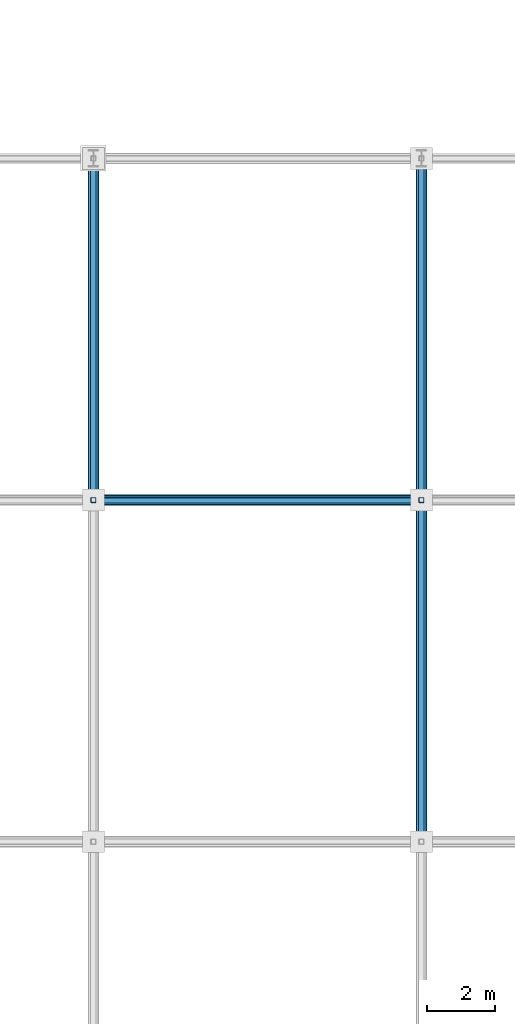
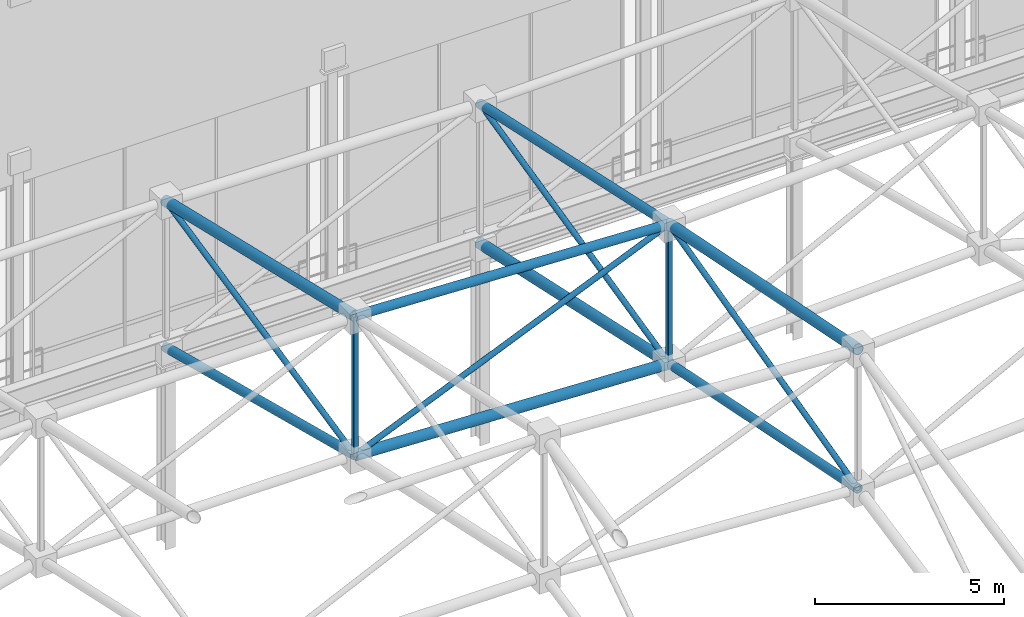
# One storey, part 93 of 193: 14 members.
"""IFC4 building model written with IfcOpenShell, lengths in metres."""

from ifc_helpers import new_model, si_unit, direction, frame, origin, origin_2d, place, context, subcontext, project, spatial, hollow_rectangle, hollow_circle, extrude, material, material_profile, profile_set, type_object, element, save


model = new_model("IFC4")

# Units and contexts
model_context = context("Model", 3, precision=1e-05, world=origin(), true_north=direction((0.0, 1.0)))
body_context = subcontext(model_context, "Body", "Model", "MODEL_VIEW")
ifc_project = project(units=[si_unit("LENGTHUNIT", "METRE"), si_unit("AREAUNIT", "SQUARE_METRE"), si_unit("VOLUMEUNIT", "CUBIC_METRE"), si_unit("PLANEANGLEUNIT", "RADIAN"), si_unit("MASSUNIT", "GRAM", prefix="KILO")], contexts=[model_context])

# Site, building, storey
site_placement = place(None, origin())
site = spatial("IfcSite", under=ifc_project, at=site_placement, CompositionType="ELEMENT")
building_placement = place(site_placement, origin())
building = spatial("IfcBuilding", under=site, at=building_placement, Name="Danafjord Basin Convention Centre", CompositionType="ELEMENT")
storey_placement = place(building_placement, frame((0.0, 0.0, 11.39990234375)))
storey = spatial("IfcBuildingStorey", under=building, at=storey_placement, Name="L02", CompositionType="ELEMENT", Elevation=11.39990234375)

# Members
ifc_material = material(Name="Steel S355", Category="steel")
ifc_material_profile_1 = material_profile(ifc_material, hollow_circle(Radius=0.136474609375, WallThickness=0.012451171875, at=origin_2d()), Name="CHS 273.0x12.5")
ifc_profile_set_1 = profile_set([ifc_material_profile_1], Name="Steel S355")
member_type_1 = type_object("IfcMemberType", Name="MEM-CH-CHS273", PredefinedType="CHORD", material=ifc_profile_set_1)
member_1_placement = place(storey_placement, frame((163.199951171875, 70.0, 13.427734375), z_axis=(0.999160768255, 0.0, -0.040960458736), x_axis=(0.0, 1.0, 0.0)))
element("IfcMember", 1, at=member_1_placement, inside=storey, type_object=member_type_1, Name="V3 roof truss longitudinal top chord", PredefinedType="CHORD", context=body_context, shape_type="SweptSolid", body=[
    extrude(hollow_circle(Radius=0.136474609375, WallThickness=0.012451171875, at=origin_2d()), origin(), (0.0, 0.0, 1.0), 9.608154296875),
])
member_2_placement = place(storey_placement, frame((163.199951171875, 70.0, 8.927734375), z_axis=(0.0, 0.968347770867, -0.249604877071), x_axis=(-1.0, 0.0, 0.0)))
element("IfcMember", 2, at=member_2_placement, inside=storey, type_object=member_type_1, Name="V3 roof truss transverse bottom chord", PredefinedType="CHORD", context=body_context, shape_type="SweptSolid", body=[
    extrude(hollow_circle(Radius=0.136474609375, WallThickness=0.012451171875, at=origin_2d()), origin(), (0.0, 0.0, 1.0), 10.326904296875),
])
member_3_placement = place(storey_placement, frame((172.800048828125, 60.0, 10.550048828125), z_axis=(0.0, 0.980280377013, -0.197611696118), x_axis=(-1.0, 0.0, 0.0)))
element("IfcMember", 3, at=member_3_placement, inside=storey, type_object=member_type_1, Name="V3 roof truss transverse bottom chord", PredefinedType="CHORD", context=body_context, shape_type="SweptSolid", body=[
    extrude(hollow_circle(Radius=0.136474609375, WallThickness=0.012451171875, at=origin_2d()), origin(), (0.0, 0.0, 1.0), 10.201171875),
])
member_4_placement = place(storey_placement, frame((172.800048828125, 70.0, 13.0341796875), z_axis=(0.0, 0.976969675801, -0.213378191399), x_axis=(-1.0, 0.0, 0.0)))
element("IfcMember", 4, at=member_4_placement, inside=storey, type_object=member_type_1, Name="V3 roof truss transverse top chord", PredefinedType="CHORD", context=body_context, shape_type="SweptSolid", body=[
    extrude(hollow_circle(Radius=0.136474609375, WallThickness=0.012451171875, at=origin_2d()), origin(), (0.0, 0.0, 1.0), 10.23583984375),
])
ifc_material_profile_2 = material_profile(ifc_material, hollow_circle(Radius=0.161865234375, WallThickness=0.01611328125, at=origin_2d()), Name="CHS 323.9x16.0")
ifc_profile_set_2 = profile_set([ifc_material_profile_2], Name="Steel S355")
member_type_2 = type_object("IfcMemberType", Name="MEM-CH-CHS324", PredefinedType="CHORD", material=ifc_profile_set_2)
member_5_placement = place(storey_placement, frame((163.199951171875, 70.0, 8.927734375), z_axis=(0.999160768255, 0.0, -0.040960458736), x_axis=(0.0, 1.0, 0.0)))
element("IfcMember", 5, at=member_5_placement, inside=storey, type_object=member_type_2, Name="V3 roof truss longitudinal bottom chord", PredefinedType="CHORD", context=body_context, shape_type="SweptSolid", body=[
    extrude(hollow_circle(Radius=0.161865234375, WallThickness=0.01611328125, at=origin_2d()), origin(), (0.0, 0.0, 1.0), 9.608154296875),
])
member_6_placement = place(storey_placement, frame((163.199951171875, 70.0, 13.427734375), z_axis=(0.0, 0.97342589455, -0.229002244138), x_axis=(-1.0, 0.0, 0.0)))
element("IfcMember", 6, at=member_6_placement, inside=storey, type_object=member_type_2, Name="V3 roof truss transverse top chord", PredefinedType="CHORD", context=body_context, shape_type="SweptSolid", body=[
    extrude(hollow_circle(Radius=0.161865234375, WallThickness=0.01611328125, at=origin_2d()), origin(), (0.0, 0.0, 1.0), 10.27294921875),
])
member_7_placement = place(storey_placement, frame((172.800048828125, 60.0, 15.050048828125), z_axis=(0.0, 0.980280377013, -0.197611696118), x_axis=(-1.0, 0.0, 0.0)))
element("IfcMember", 7, at=member_7_placement, inside=storey, type_object=member_type_2, Name="V3 roof truss transverse top chord", PredefinedType="CHORD", context=body_context, shape_type="SweptSolid", body=[
    extrude(hollow_circle(Radius=0.161865234375, WallThickness=0.01611328125, at=origin_2d()), origin(), (0.0, 0.0, 1.0), 10.201171875),
])
member_8_placement = place(storey_placement, frame((172.800048828125, 70.0, 8.5341796875), z_axis=(0.0, 0.976969675801, -0.213378191399), x_axis=(-1.0, 0.0, 0.0)))
element("IfcMember", 8, at=member_8_placement, inside=storey, type_object=member_type_2, Name="V3 roof truss transverse bottom chord", PredefinedType="CHORD", context=body_context, shape_type="SweptSolid", body=[
    extrude(hollow_circle(Radius=0.161865234375, WallThickness=0.01611328125, at=origin_2d()), origin(), (0.0, 0.0, 1.0), 10.23583984375),
])
ifc_material_profile_3 = material_profile(ifc_material, hollow_rectangle(XDim=0.14990234375, YDim=0.14990234375, WallThickness=0.008056640625, InnerFilletRadius=0.011962890625, OuterFilletRadius=0.02001953125, at=origin_2d()), Name="SHS 150x150x8.0")
ifc_profile_set_3 = profile_set([ifc_material_profile_3], Name="Steel S355")
member_type_3 = type_object("IfcMemberType", Name="MEM-ST-SHS150", PredefinedType="STRUT", material=ifc_profile_set_3)
for number, where, z_axis, x_axis, name in (
    (9, (163.199951171875, 70.0, 8.927734375), (0.0, 0.0, 1.0), (1.0, 0.0, 0.0), "V3 roof truss vertical strut"),
    (10, (172.800048828125, 70.0, 8.5341796875), (0.0, 0.0, 1.0), (1.0, 0.0, 0.0), "V3 roof truss vertical strut"),
):
    element("IfcMember", number, at=place(storey_placement, frame(where, z_axis=z_axis, x_axis=x_axis)), inside=storey, type_object=member_type_3, Name=name, PredefinedType="STRUT", context=body_context, shape_type="SweptSolid", body=[
        extrude(hollow_rectangle(XDim=0.14990234375, YDim=0.14990234375, WallThickness=0.008056640625, InnerFilletRadius=0.011962890625, OuterFilletRadius=0.02001953125, at=origin_2d()), origin(), (0.0, 0.0, 1.0), 4.5),
    ])
ifc_material_profile_4 = material_profile(ifc_material, hollow_circle(Radius=0.084228515625, WallThickness=0.008056640625, at=origin_2d()), Name="CHS 168.3x8.0")
ifc_profile_set_4 = profile_set([ifc_material_profile_4], Name="Steel S355")
member_type_4 = type_object("IfcMemberType", Name="MEM-WB-CHS168", PredefinedType="MEMBER", material=ifc_profile_set_4)
member_9_placement = place(storey_placement, frame((163.199951171875, 70.0, 8.927734375), z_axis=(0.919418133641, 0.0, 0.393281445701), x_axis=(0.0, 1.0, 0.0)))
element("IfcMember", 11, at=member_9_placement, inside=storey, type_object=member_type_4, Name="V3 space-frame longitudinal web", PredefinedType="MEMBER", context=body_context, shape_type="SweptSolid", body=[
    extrude(hollow_circle(Radius=0.084228515625, WallThickness=0.008056640625, at=origin_2d()), origin(), (0.0, 0.0, 1.0), 10.44140625),
])
member_10_placement = place(storey_placement, frame((163.199951171875, 70.0, 8.927734375), z_axis=(0.0, 0.977710100146, 0.209959424826), x_axis=(-1.0, 0.0, 0.0)))
element("IfcMember", 12, at=member_10_placement, inside=storey, type_object=member_type_4, Name="V3 space-frame transverse web", PredefinedType="MEMBER", context=body_context, shape_type="SweptSolid", body=[
    extrude(hollow_circle(Radius=0.084228515625, WallThickness=0.008056640625, at=origin_2d()), origin(), (0.0, 0.0, 1.0), 10.22802734375),
])
member_11_placement = place(storey_placement, frame((172.800048828125, 60.0, 10.550048828125), z_axis=(0.0, 0.970503795181, 0.241085842675), x_axis=(-1.0, 0.0, 0.0)))
element("IfcMember", 13, at=member_11_placement, inside=storey, type_object=member_type_4, Name="V3 space-frame transverse web", PredefinedType="MEMBER", context=body_context, shape_type="SweptSolid", body=[
    extrude(hollow_circle(Radius=0.084228515625, WallThickness=0.008056640625, at=origin_2d()), origin(), (0.0, 0.0, 1.0), 10.303955078125),
])
member_12_placement = place(storey_placement, frame((172.800048828125, 70.0, 8.5341796875), z_axis=(0.0, 0.97421532054, 0.225620276627), x_axis=(-1.0, 0.0, 0.0)))
element("IfcMember", 14, at=member_12_placement, inside=storey, type_object=member_type_4, Name="V3 space-frame transverse web", PredefinedType="MEMBER", context=body_context, shape_type="SweptSolid", body=[
    extrude(hollow_circle(Radius=0.084228515625, WallThickness=0.008056640625, at=origin_2d()), origin(), (0.0, 0.0, 1.0), 10.2646484375),
])

save(model, "model.ifc")
